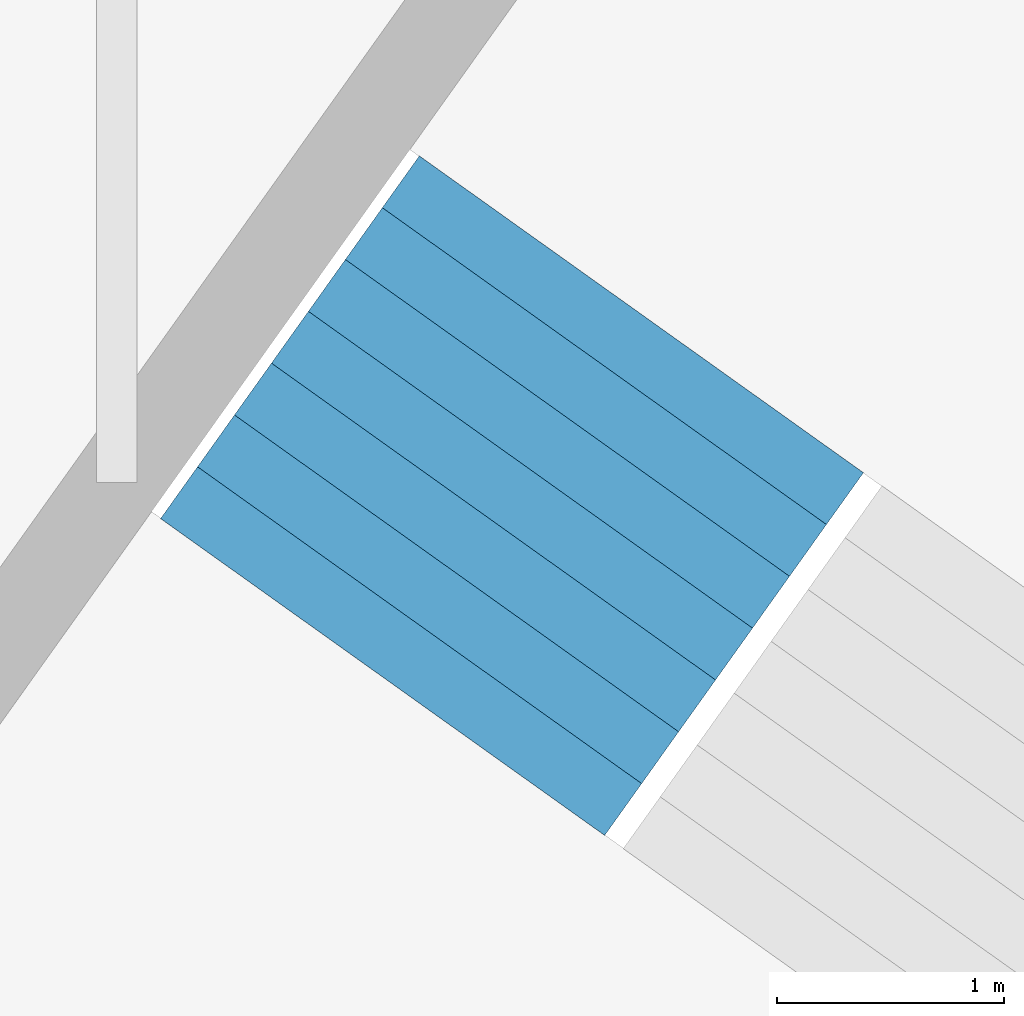
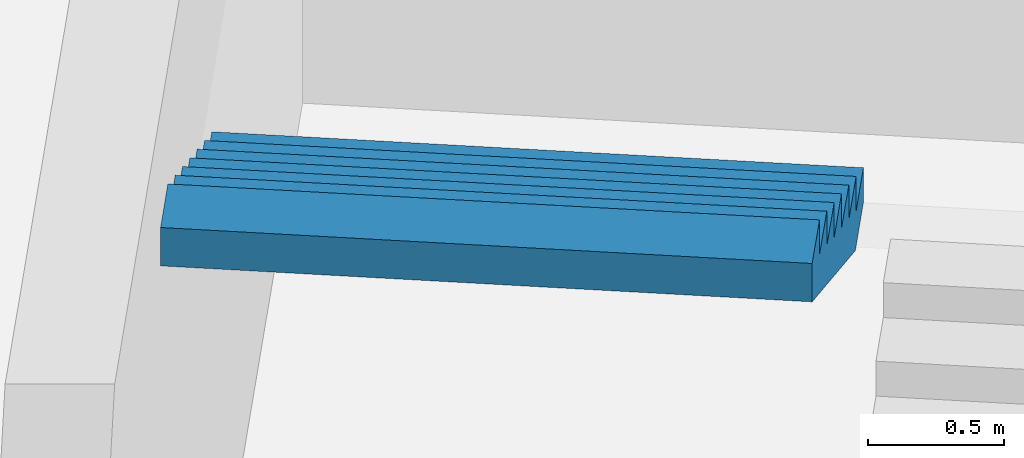
# One storey, part 70 of 73: 1 stair flight, 1 element without a shape of its own.
"""IFC4 building model written with IfcOpenShell, lengths in metres."""

from ifc_helpers import new_model, si_unit, direction, frame, origin, place, context, subcontext, project, spatial, triangles, material, type_object, element, aggregate, save


model = new_model("IFC4")

# Units and contexts
model_context = context("Model", 3, precision=1e-05, world=origin(), true_north=direction((0.0, 1.0)))
body_context = subcontext(model_context, "Body", "Model", "MODEL_VIEW")
ifc_project = project(units=[si_unit("LENGTHUNIT", "METRE"), si_unit("AREAUNIT", "SQUARE_METRE"), si_unit("VOLUMEUNIT", "CUBIC_METRE"), si_unit("PLANEANGLEUNIT", "RADIAN"), si_unit("MASSUNIT", "GRAM", prefix="KILO")], contexts=[model_context])

# Site, building, storey
site_placement = place(None, origin())
site = spatial("IfcSite", under=ifc_project, at=site_placement, CompositionType="ELEMENT")
building_placement = place(site_placement, origin())
building = spatial("IfcBuilding", under=site, at=building_placement, Name="Lantaw Convention Tower", CompositionType="ELEMENT")
storey_placement = place(building_placement, frame((0.0, 0.0, 27.0)))
storey = spatial("IfcBuildingStorey", under=building, at=storey_placement, Name="L04", CompositionType="ELEMENT", Elevation=27.0)

# Stair, stair flight
ifc_material = material(Name="Concrete C35/45", Category="concrete")
stair_type = type_object("IfcStairType", Name="Exit stair 2400 riser 156.25 in 4 flights", PredefinedType="HALF_TURN_STAIR", material=ifc_material)
stair_placement = place(storey_placement, origin())
stair = element("IfcStair", 1, at=stair_placement, inside=storey, type_object=stair_type, Name="Podium exit stair P4 L04", PredefinedType="HALF_TURN_STAIR")
stair_flight_type = type_object("IfcStairFlightType", Name="Stair flight 2400 riser 156.25", PredefinedType="STRAIGHT", material=ifc_material)
stair_flight_placement = place(storey_placement, frame((18.1083984375, 27.53955078125, 3.75), z_axis=(0.0, 0.0, 1.0), x_axis=(-0.580702955711, -0.814115518356, 0.0)))
stair_flight = element("IfcStairFlight", 2, at=stair_flight_placement, type_object=stair_flight_type, Name="P4 flight 4", NumberOfRisers=8, NumberOfTreads=7, PredefinedType="STRAIGHT", RiserHeight=0.15625, TreadLength=0.28, context=body_context, shape_type="Tessellation", body=[
    triangles([(0.0, 1.199951171875, 0.0), (0.0, 1.199951171875, 0.15625), (0.28, 1.199951171875, 0.0), (0.28, 1.199951171875, 0.15625), (0.28, 1.199951171875, 0.3125), (0.3076200632058044, 1.199951171875, 0.0), (0.3076200632058044, 1.199951171875, 0.3125), (0.56, 1.199951171875, 0.14083701830033238), (0.56, 1.199951171875, 0.3125), (0.56, 1.199951171875, 0.46875), (0.8400000000000001, 1.199951171875, 0.29708701830033235), (0.8400000000000001, 1.199951171875, 0.46875), (0.8400000000000001, 1.199951171875, 0.625), (1.12, 1.199951171875, 0.45333701830033235), (1.12, 1.199951171875, 0.625), (1.12, 1.199951171875, 0.78125), (1.4000000000000001, 1.199951171875, 0.6095870183003324), (1.4000000000000001, 1.199951171875, 0.78125), (1.4000000000000001, 1.199951171875, 0.9375), (1.6800000000000002, 1.199951171875, 0.7658370183003324), (1.6800000000000002, 1.199951171875, 0.9375), (1.6800000000000002, 1.199951171875, 1.09375), (1.9600000000000002, 1.199951171875, 0.9220870183003324), (1.9600000000000002, 1.199951171875, 1.09375), (0.0, -1.199951171875, 0.0), (0.0, -1.199951171875, 0.15625), (0.28, -1.199951171875, 0.0), (0.28, -1.199951171875, 0.15625), (0.28, -1.199951171875, 0.3125), (0.3076200632058044, -1.199951171875, 0.0), (0.3076200632058044, -1.199951171875, 0.3125), (0.56, -1.199951171875, 0.14083701830033238), (0.56, -1.199951171875, 0.3125), (0.56, -1.199951171875, 0.46875), (0.8400000000000001, -1.199951171875, 0.29708701830033235), (0.8400000000000001, -1.199951171875, 0.46875), (0.8400000000000001, -1.199951171875, 0.625), (1.12, -1.199951171875, 0.45333701830033235), (1.12, -1.199951171875, 0.625), (1.12, -1.199951171875, 0.78125), (1.4000000000000001, -1.199951171875, 0.6095870183003324), (1.4000000000000001, -1.199951171875, 0.78125), (1.4000000000000001, -1.199951171875, 0.9375), (1.6800000000000002, -1.199951171875, 0.7658370183003324), (1.6800000000000002, -1.199951171875, 0.9375), (1.6800000000000002, -1.199951171875, 1.09375), (1.9600000000000002, -1.199951171875, 0.9220870183003324), (1.9600000000000002, -1.199951171875, 1.09375), (0.0, 0.239990234375, 0.15625), (0.0, 0.239990234375, 0.0), (0.0, 0.1919921875, 0.15625), (0.0, 0.1919921875, 0.0), (0.0, 0.143994140625, 0.15625), (0.0, 0.143994140625, 0.0), (0.0, 0.09599609375, 0.15625), (0.0, 0.09599609375, 0.0), (0.0, 0.047998046875, 0.15625), (0.0, 0.047998046875, 0.0), (0.0, 0.0, 0.15625), (0.0, 0.0, 0.0), (0.0, -0.047998046875, 0.15625), (0.0, -0.047998046875, 0.0), (0.0, -0.09599609375, 0.15625), (0.0, -0.09599609375, 0.0), (0.0, -0.143994140625, 0.15625), (0.0, -0.143994140625, 0.0), (0.0, -0.1919921875, 0.15625), (0.0, -0.1919921875, 0.0), (0.0, -0.239990234375, 0.15625), (0.0, -0.239990234375, 0.0), (0.28, 0.239990234375, 0.3125), (0.28, 0.239990234375, 0.15625), (0.28, 0.1919921875, 0.3125), (0.28, 0.1919921875, 0.15625), (0.28, 0.143994140625, 0.3125), (0.28, 0.143994140625, 0.15625), (0.28, 0.09599609375, 0.3125), (0.28, 0.09599609375, 0.15625), (0.28, 0.047998046875, 0.3125), (0.28, 0.047998046875, 0.15625), (0.28, 0.0, 0.3125), (0.28, 0.0, 0.15625), (0.28, -0.047998046875, 0.3125), (0.28, -0.047998046875, 0.15625), (0.28, -0.09599609375, 0.3125), (0.28, -0.09599609375, 0.15625), (0.28, -0.143994140625, 0.3125), (0.28, -0.143994140625, 0.15625), (0.28, -0.1919921875, 0.3125), (0.28, -0.1919921875, 0.15625), (0.28, -0.239990234375, 0.3125), (0.28, -0.239990234375, 0.15625), (0.56, 0.239990234375, 0.46875), (0.56, 0.239990234375, 0.3125), (0.56, 0.1919921875, 0.46875), (0.56, 0.1919921875, 0.3125), (0.56, 0.143994140625, 0.46875), (0.56, 0.143994140625, 0.3125), (0.56, 0.09599609375, 0.46875), (0.56, 0.09599609375, 0.3125), (0.56, 0.047998046875, 0.46875), (0.56, 0.047998046875, 0.3125), (0.56, 0.0, 0.46875), (0.56, 0.0, 0.3125), (0.56, -0.047998046875, 0.46875), (0.56, -0.047998046875, 0.3125), (0.56, -0.09599609375, 0.46875), (0.56, -0.09599609375, 0.3125), (0.56, -0.143994140625, 0.46875), (0.56, -0.143994140625, 0.3125), (0.56, -0.1919921875, 0.46875), (0.56, -0.1919921875, 0.3125), (0.56, -0.239990234375, 0.46875), (0.56, -0.239990234375, 0.3125), (0.8400000000000001, 0.239990234375, 0.625), (0.8400000000000001, 0.239990234375, 0.46875), (0.8400000000000001, 0.1919921875, 0.625), (0.8400000000000001, 0.1919921875, 0.46875), (0.8400000000000001, 0.143994140625, 0.625), (0.8400000000000001, 0.143994140625, 0.46875), (0.8400000000000001, 0.09599609375, 0.625), (0.8400000000000001, 0.09599609375, 0.46875), (0.8400000000000001, 0.047998046875, 0.625), (0.8400000000000001, 0.047998046875, 0.46875), (0.8400000000000001, 0.0, 0.625), (0.8400000000000001, 0.0, 0.46875), (0.8400000000000001, -0.047998046875, 0.625), (0.8400000000000001, -0.047998046875, 0.46875), (0.8400000000000001, -0.09599609375, 0.625), (0.8400000000000001, -0.09599609375, 0.46875), (0.8400000000000001, -0.143994140625, 0.625), (0.8400000000000001, -0.143994140625, 0.46875), (0.8400000000000001, -0.1919921875, 0.625), (0.8400000000000001, -0.1919921875, 0.46875), (0.8400000000000001, -0.239990234375, 0.625), (0.8400000000000001, -0.239990234375, 0.46875), (1.12, 0.239990234375, 0.78125), (1.12, 0.239990234375, 0.625), (1.12, 0.1919921875, 0.78125), (1.12, 0.1919921875, 0.625), (1.12, 0.143994140625, 0.78125), (1.12, 0.143994140625, 0.625), (1.12, 0.09599609375, 0.78125), (1.12, 0.09599609375, 0.625), (1.12, 0.047998046875, 0.78125), (1.12, 0.047998046875, 0.625), (1.12, 0.0, 0.78125), (1.12, 0.0, 0.625), (1.12, -0.047998046875, 0.78125), (1.12, -0.047998046875, 0.625), (1.12, -0.09599609375, 0.78125), (1.12, -0.09599609375, 0.625), (1.12, -0.143994140625, 0.78125), (1.12, -0.143994140625, 0.625), (1.12, -0.1919921875, 0.78125), (1.12, -0.1919921875, 0.625), (1.12, -0.239990234375, 0.78125), (1.12, -0.239990234375, 0.625), (1.4000000000000001, 0.239990234375, 0.9375), (1.4000000000000001, 0.239990234375, 0.78125), (1.4000000000000001, 0.1919921875, 0.9375), (1.4000000000000001, 0.1919921875, 0.78125), (1.4000000000000001, 0.143994140625, 0.9375), (1.4000000000000001, 0.143994140625, 0.78125), (1.4000000000000001, 0.09599609375, 0.9375), (1.4000000000000001, 0.09599609375, 0.78125), (1.4000000000000001, 0.047998046875, 0.9375), (1.4000000000000001, 0.047998046875, 0.78125), (1.4000000000000001, 0.0, 0.9375), (1.4000000000000001, 0.0, 0.78125), (1.4000000000000001, -0.047998046875, 0.9375), (1.4000000000000001, -0.047998046875, 0.78125), (1.4000000000000001, -0.09599609375, 0.9375), (1.4000000000000001, -0.09599609375, 0.78125), (1.4000000000000001, -0.143994140625, 0.9375), (1.4000000000000001, -0.143994140625, 0.78125), (1.4000000000000001, -0.1919921875, 0.9375), (1.4000000000000001, -0.1919921875, 0.78125), (1.4000000000000001, -0.239990234375, 0.9375), (1.4000000000000001, -0.239990234375, 0.78125), (1.6800000000000002, 0.239990234375, 1.09375), (1.6800000000000002, 0.239990234375, 0.9375), (1.6800000000000002, 0.1919921875, 1.09375), (1.6800000000000002, 0.1919921875, 0.9375), (1.6800000000000002, 0.143994140625, 1.09375), (1.6800000000000002, 0.143994140625, 0.9375), (1.6800000000000002, 0.09599609375, 1.09375), (1.6800000000000002, 0.09599609375, 0.9375), (1.6800000000000002, 0.047998046875, 1.09375), (1.6800000000000002, 0.047998046875, 0.9375), (1.6800000000000002, 0.0, 1.09375), (1.6800000000000002, 0.0, 0.9375), (1.6800000000000002, -0.047998046875, 1.09375), (1.6800000000000002, -0.047998046875, 0.9375), (1.6800000000000002, -0.09599609375, 1.09375), (1.6800000000000002, -0.09599609375, 0.9375), (1.6800000000000002, -0.143994140625, 1.09375), (1.6800000000000002, -0.143994140625, 0.9375), (1.6800000000000002, -0.1919921875, 1.09375), (1.6800000000000002, -0.1919921875, 0.9375), (1.6800000000000002, -0.239990234375, 1.09375), (1.6800000000000002, -0.239990234375, 0.9375), (0.3076200632058044, 0.239990234375, 0.3125), (0.3076200632058044, 0.1919921875, 0.3125), (0.3076200632058044, 0.143994140625, 0.3125), (0.3076200632058044, 0.09599609375, 0.3125), (0.3076200632058044, 0.047998046875, 0.3125), (0.3076200632058044, 0.0, 0.3125), (0.3076200632058044, -0.047998046875, 0.3125), (0.3076200632058044, -0.09599609375, 0.3125), (0.3076200632058044, -0.143994140625, 0.3125), (0.3076200632058044, -0.1919921875, 0.3125), (0.3076200632058044, -0.239990234375, 0.3125), (1.9600000000000002, 0.239990234375, 1.09375), (1.9600000000000002, 0.1919921875, 1.09375), (1.9600000000000002, 0.143994140625, 1.09375), (1.9600000000000002, 0.09599609375, 1.09375), (1.9600000000000002, 0.047998046875, 1.09375), (1.9600000000000002, 0.0, 1.09375), (1.9600000000000002, -0.047998046875, 1.09375), (1.9600000000000002, -0.09599609375, 1.09375), (1.9600000000000002, -0.143994140625, 1.09375), (1.9600000000000002, -0.1919921875, 1.09375), (1.9600000000000002, -0.239990234375, 1.09375), (1.9600000000000002, 0.239990234375, 0.9220870183003324), (1.9600000000000002, 0.1919921875, 0.9220870183003324), (1.9600000000000002, 0.143994140625, 0.9220870183003324), (1.9600000000000002, 0.09599609375, 0.9220870183003324), (1.9600000000000002, 0.047998046875, 0.9220870183003324), (1.9600000000000002, 0.0, 0.9220870183003324), (1.9600000000000002, -0.047998046875, 0.9220870183003324), (1.9600000000000002, -0.09599609375, 0.9220870183003324), (1.9600000000000002, -0.143994140625, 0.9220870183003324), (1.9600000000000002, -0.1919921875, 0.9220870183003324), (1.9600000000000002, -0.239990234375, 0.9220870183003324), (1.6800000000000002, 0.239990234375, 0.7658370183003324), (1.6800000000000002, 0.1919921875, 0.7658370183003324), (1.6800000000000002, 0.143994140625, 0.7658370183003324), (1.6800000000000002, 0.09599609375, 0.7658370183003324), (1.6800000000000002, 0.047998046875, 0.7658370183003324), (1.6800000000000002, 0.0, 0.7658370183003324), (1.6800000000000002, -0.047998046875, 0.7658370183003324), (1.6800000000000002, -0.09599609375, 0.7658370183003324), (1.6800000000000002, -0.143994140625, 0.7658370183003324), (1.6800000000000002, -0.1919921875, 0.7658370183003324), (1.6800000000000002, -0.239990234375, 0.7658370183003324), (1.4000000000000001, 0.239990234375, 0.6095870183003324), (1.4000000000000001, 0.1919921875, 0.6095870183003324), (1.4000000000000001, 0.143994140625, 0.6095870183003324), (1.4000000000000001, 0.09599609375, 0.6095870183003324), (1.4000000000000001, 0.047998046875, 0.6095870183003324), (1.4000000000000001, 0.0, 0.6095870183003324), (1.4000000000000001, -0.047998046875, 0.6095870183003324), (1.4000000000000001, -0.09599609375, 0.6095870183003324), (1.4000000000000001, -0.143994140625, 0.6095870183003324), (1.4000000000000001, -0.1919921875, 0.6095870183003324), (1.4000000000000001, -0.239990234375, 0.6095870183003324), (1.12, 0.239990234375, 0.45333701830033235), (1.12, 0.1919921875, 0.45333701830033235), (1.12, 0.143994140625, 0.45333701830033235), (1.12, 0.09599609375, 0.45333701830033235), (1.12, 0.047998046875, 0.45333701830033235), (1.12, 0.0, 0.45333701830033235), (1.12, -0.047998046875, 0.45333701830033235), (1.12, -0.09599609375, 0.45333701830033235), (1.12, -0.143994140625, 0.45333701830033235), (1.12, -0.1919921875, 0.45333701830033235), (1.12, -0.239990234375, 0.45333701830033235), (0.8400000000000001, 0.239990234375, 0.29708701830033235), (0.8400000000000001, 0.1919921875, 0.29708701830033235), (0.8400000000000001, 0.143994140625, 0.29708701830033235), (0.8400000000000001, 0.09599609375, 0.29708701830033235), (0.8400000000000001, 0.047998046875, 0.29708701830033235), (0.8400000000000001, 0.0, 0.29708701830033235), (0.8400000000000001, -0.047998046875, 0.29708701830033235), (0.8400000000000001, -0.09599609375, 0.29708701830033235), (0.8400000000000001, -0.143994140625, 0.29708701830033235), (0.8400000000000001, -0.1919921875, 0.29708701830033235), (0.8400000000000001, -0.239990234375, 0.29708701830033235), (0.56, 0.239990234375, 0.14083701830033238), (0.56, 0.1919921875, 0.14083701830033238), (0.56, 0.143994140625, 0.14083701830033238), (0.56, 0.09599609375, 0.14083701830033238), (0.56, 0.047998046875, 0.14083701830033238), (0.56, 0.0, 0.14083701830033238), (0.56, -0.047998046875, 0.14083701830033238), (0.56, -0.09599609375, 0.14083701830033238), (0.56, -0.143994140625, 0.14083701830033238), (0.56, -0.1919921875, 0.14083701830033238), (0.56, -0.239990234375, 0.14083701830033238), (0.3076200632058044, 0.239990234375, 0.0), (0.3076200632058044, 0.1919921875, 0.0), (0.3076200632058044, 0.143994140625, 0.0), (0.3076200632058044, 0.09599609375, 0.0), (0.3076200632058044, 0.047998046875, 0.0), (0.3076200632058044, 0.0, 0.0), (0.3076200632058044, -0.047998046875, 0.0), (0.3076200632058044, -0.09599609375, 0.0), (0.3076200632058044, -0.143994140625, 0.0), (0.3076200632058044, -0.1919921875, 0.0), (0.3076200632058044, -0.239990234375, 0.0), (0.28, 0.239990234375, 0.0), (0.28, 0.1919921875, 0.0), (0.28, 0.143994140625, 0.0), (0.28, 0.09599609375, 0.0), (0.28, 0.047998046875, 0.0), (0.28, 0.0, 0.0), (0.28, -0.047998046875, 0.0), (0.28, -0.09599609375, 0.0), (0.28, -0.143994140625, 0.0), (0.28, -0.1919921875, 0.0), (0.28, -0.239990234375, 0.0)], [[1, 4, 3], [1, 2, 4], [3, 4, 6], [4, 7, 6], [4, 5, 7], [6, 9, 8], [6, 7, 9], [8, 9, 11], [9, 12, 11], [9, 10, 12], [11, 12, 14], [12, 15, 14], [12, 13, 15], [14, 15, 17], [15, 18, 17], [15, 16, 18], [17, 18, 20], [18, 21, 20], [18, 19, 21], [20, 21, 23], [21, 24, 23], [21, 22, 24], [25, 27, 28], [25, 28, 26], [27, 30, 28], [28, 30, 31], [28, 31, 29], [30, 32, 33], [30, 33, 31], [32, 35, 33], [33, 35, 36], [33, 36, 34], [35, 38, 36], [36, 38, 39], [36, 39, 37], [38, 41, 39], [39, 41, 42], [39, 42, 40], [41, 44, 42], [42, 44, 45], [42, 45, 43], [44, 47, 45], [45, 47, 48], [45, 48, 46], [1, 49, 2], [1, 50, 49], [50, 51, 49], [50, 52, 51], [52, 53, 51], [52, 54, 53], [54, 55, 53], [54, 56, 55], [56, 57, 55], [56, 58, 57], [58, 59, 57], [58, 60, 59], [60, 61, 59], [60, 62, 61], [62, 63, 61], [62, 64, 63], [64, 65, 63], [64, 66, 65], [66, 67, 65], [66, 68, 67], [68, 69, 67], [68, 70, 69], [70, 26, 69], [70, 25, 26], [4, 71, 5], [4, 72, 71], [72, 73, 71], [72, 74, 73], [74, 75, 73], [74, 76, 75], [76, 77, 75], [76, 78, 77], [78, 79, 77], [78, 80, 79], [80, 81, 79], [80, 82, 81], [82, 83, 81], [82, 84, 83], [84, 85, 83], [84, 86, 85], [86, 87, 85], [86, 88, 87], [88, 89, 87], [88, 90, 89], [90, 91, 89], [90, 92, 91], [92, 29, 91], [92, 28, 29], [9, 93, 10], [9, 94, 93], [94, 95, 93], [94, 96, 95], [96, 97, 95], [96, 98, 97], [98, 99, 97], [98, 100, 99], [100, 101, 99], [100, 102, 101], [102, 103, 101], [102, 104, 103], [104, 105, 103], [104, 106, 105], [106, 107, 105], [106, 108, 107], [108, 109, 107], [108, 110, 109], [110, 111, 109], [110, 112, 111], [112, 113, 111], [112, 114, 113], [114, 34, 113], [114, 33, 34], [12, 115, 13], [12, 116, 115], [116, 117, 115], [116, 118, 117], [118, 119, 117], [118, 120, 119], [120, 121, 119], [120, 122, 121], [122, 123, 121], [122, 124, 123], [124, 125, 123], [124, 126, 125], [126, 127, 125], [126, 128, 127], [128, 129, 127], [128, 130, 129], [130, 131, 129], [130, 132, 131], [132, 133, 131], [132, 134, 133], [134, 135, 133], [134, 136, 135], [136, 37, 135], [136, 36, 37], [15, 137, 16], [15, 138, 137], [138, 139, 137], [138, 140, 139], [140, 141, 139], [140, 142, 141], [142, 143, 141], [142, 144, 143], [144, 145, 143], [144, 146, 145], [146, 147, 145], [146, 148, 147], [148, 149, 147], [148, 150, 149], [150, 151, 149], [150, 152, 151], [152, 153, 151], [152, 154, 153], [154, 155, 153], [154, 156, 155], [156, 157, 155], [156, 158, 157], [158, 40, 157], [158, 39, 40], [18, 159, 19], [18, 160, 159], [160, 161, 159], [160, 162, 161], [162, 163, 161], [162, 164, 163], [164, 165, 163], [164, 166, 165], [166, 167, 165], [166, 168, 167], [168, 169, 167], [168, 170, 169], [170, 171, 169], [170, 172, 171], [172, 173, 171], [172, 174, 173], [174, 175, 173], [174, 176, 175], [176, 177, 175], [176, 178, 177], [178, 179, 177], [178, 180, 179], [180, 43, 179], [180, 42, 43], [21, 181, 22], [21, 182, 181], [182, 183, 181], [182, 184, 183], [184, 185, 183], [184, 186, 185], [186, 187, 185], [186, 188, 187], [188, 189, 187], [188, 190, 189], [190, 191, 189], [190, 192, 191], [192, 193, 191], [192, 194, 193], [194, 195, 193], [194, 196, 195], [196, 197, 195], [196, 198, 197], [198, 199, 197], [198, 200, 199], [200, 201, 199], [200, 202, 201], [202, 46, 201], [202, 45, 46], [2, 72, 4], [2, 49, 72], [49, 74, 72], [49, 51, 74], [51, 76, 74], [51, 53, 76], [53, 78, 76], [53, 55, 78], [55, 80, 78], [55, 57, 80], [57, 82, 80], [57, 59, 82], [59, 84, 82], [59, 61, 84], [61, 86, 84], [61, 63, 86], [63, 88, 86], [63, 65, 88], [65, 90, 88], [65, 67, 90], [67, 92, 90], [67, 69, 92], [69, 28, 92], [69, 26, 28], [5, 203, 7], [5, 71, 203], [71, 204, 203], [71, 73, 204], [73, 205, 204], [73, 75, 205], [75, 206, 205], [75, 77, 206], [77, 207, 206], [77, 79, 207], [79, 208, 207], [79, 81, 208], [81, 209, 208], [81, 83, 209], [83, 210, 209], [83, 85, 210], [85, 211, 210], [85, 87, 211], [87, 212, 211], [87, 89, 212], [89, 213, 212], [89, 91, 213], [91, 31, 213], [91, 29, 31], [7, 94, 9], [7, 203, 94], [203, 96, 94], [203, 204, 96], [204, 98, 96], [204, 205, 98], [205, 100, 98], [205, 206, 100], [206, 102, 100], [206, 207, 102], [207, 104, 102], [207, 208, 104], [208, 106, 104], [208, 209, 106], [209, 108, 106], [209, 210, 108], [210, 110, 108], [210, 211, 110], [211, 112, 110], [211, 212, 112], [212, 114, 112], [212, 213, 114], [213, 33, 114], [213, 31, 33], [10, 116, 12], [10, 93, 116], [93, 118, 116], [93, 95, 118], [95, 120, 118], [95, 97, 120], [97, 122, 120], [97, 99, 122], [99, 124, 122], [99, 101, 124], [101, 126, 124], [101, 103, 126], [103, 128, 126], [103, 105, 128], [105, 130, 128], [105, 107, 130], [107, 132, 130], [107, 109, 132], [109, 134, 132], [109, 111, 134], [111, 136, 134], [111, 113, 136], [113, 36, 136], [113, 34, 36], [13, 138, 15], [13, 115, 138], [115, 140, 138], [115, 117, 140], [117, 142, 140], [117, 119, 142], [119, 144, 142], [119, 121, 144], [121, 146, 144], [121, 123, 146], [123, 148, 146], [123, 125, 148], [125, 150, 148], [125, 127, 150], [127, 152, 150], [127, 129, 152], [129, 154, 152], [129, 131, 154], [131, 156, 154], [131, 133, 156], [133, 158, 156], [133, 135, 158], [135, 39, 158], [135, 37, 39], [16, 160, 18], [16, 137, 160], [137, 162, 160], [137, 139, 162], [139, 164, 162], [139, 141, 164], [141, 166, 164], [141, 143, 166], [143, 168, 166], [143, 145, 168], [145, 170, 168], [145, 147, 170], [147, 172, 170], [147, 149, 172], [149, 174, 172], [149, 151, 174], [151, 176, 174], [151, 153, 176], [153, 178, 176], [153, 155, 178], [155, 180, 178], [155, 157, 180], [157, 42, 180], [157, 40, 42], [19, 182, 21], [19, 159, 182], [159, 184, 182], [159, 161, 184], [161, 186, 184], [161, 163, 186], [163, 188, 186], [163, 165, 188], [165, 190, 188], [165, 167, 190], [167, 192, 190], [167, 169, 192], [169, 194, 192], [169, 171, 194], [171, 196, 194], [171, 173, 196], [173, 198, 196], [173, 175, 198], [175, 200, 198], [175, 177, 200], [177, 202, 200], [177, 179, 202], [179, 45, 202], [179, 43, 45], [22, 214, 24], [22, 181, 214], [181, 215, 214], [181, 183, 215], [183, 216, 215], [183, 185, 216], [185, 217, 216], [185, 187, 217], [187, 218, 217], [187, 189, 218], [189, 219, 218], [189, 191, 219], [191, 220, 219], [191, 193, 220], [193, 221, 220], [193, 195, 221], [195, 222, 221], [195, 197, 222], [197, 223, 222], [197, 199, 223], [199, 224, 223], [199, 201, 224], [201, 48, 224], [201, 46, 48], [24, 225, 23], [24, 214, 225], [214, 226, 225], [214, 215, 226], [215, 227, 226], [215, 216, 227], [216, 228, 227], [216, 217, 228], [217, 229, 228], [217, 218, 229], [218, 230, 229], [218, 219, 230], [219, 231, 230], [219, 220, 231], [220, 232, 231], [220, 221, 232], [221, 233, 232], [221, 222, 233], [222, 234, 233], [222, 223, 234], [223, 235, 234], [223, 224, 235], [224, 47, 235], [224, 48, 47], [23, 236, 20], [23, 225, 236], [225, 237, 236], [225, 226, 237], [226, 238, 237], [226, 227, 238], [227, 239, 238], [227, 228, 239], [228, 240, 239], [228, 229, 240], [229, 241, 240], [229, 230, 241], [230, 242, 241], [230, 231, 242], [231, 243, 242], [231, 232, 243], [232, 244, 243], [232, 233, 244], [233, 245, 244], [233, 234, 245], [234, 246, 245], [234, 235, 246], [235, 44, 246], [235, 47, 44], [20, 247, 17], [20, 236, 247], [236, 248, 247], [236, 237, 248], [237, 249, 248], [237, 238, 249], [238, 250, 249], [238, 239, 250], [239, 251, 250], [239, 240, 251], [240, 252, 251], [240, 241, 252], [241, 253, 252], [241, 242, 253], [242, 254, 253], [242, 243, 254], [243, 255, 254], [243, 244, 255], [244, 256, 255], [244, 245, 256], [245, 257, 256], [245, 246, 257], [246, 41, 257], [246, 44, 41], [17, 258, 14], [17, 247, 258], [247, 259, 258], [247, 248, 259], [248, 260, 259], [248, 249, 260], [249, 261, 260], [249, 250, 261], [250, 262, 261], [250, 251, 262], [251, 263, 262], [251, 252, 263], [252, 264, 263], [252, 253, 264], [253, 265, 264], [253, 254, 265], [254, 266, 265], [254, 255, 266], [255, 267, 266], [255, 256, 267], [256, 268, 267], [256, 257, 268], [257, 38, 268], [257, 41, 38], [14, 269, 11], [14, 258, 269], [258, 270, 269], [258, 259, 270], [259, 271, 270], [259, 260, 271], [260, 272, 271], [260, 261, 272], [261, 273, 272], [261, 262, 273], [262, 274, 273], [262, 263, 274], [263, 275, 274], [263, 264, 275], [264, 276, 275], [264, 265, 276], [265, 277, 276], [265, 266, 277], [266, 278, 277], [266, 267, 278], [267, 279, 278], [267, 268, 279], [268, 35, 279], [268, 38, 35], [11, 280, 8], [11, 269, 280], [269, 281, 280], [269, 270, 281], [270, 282, 281], [270, 271, 282], [271, 283, 282], [271, 272, 283], [272, 284, 283], [272, 273, 284], [273, 285, 284], [273, 274, 285], [274, 286, 285], [274, 275, 286], [275, 287, 286], [275, 276, 287], [276, 288, 287], [276, 277, 288], [277, 289, 288], [277, 278, 289], [278, 290, 289], [278, 279, 290], [279, 32, 290], [279, 35, 32], [8, 291, 6], [8, 280, 291], [280, 292, 291], [280, 281, 292], [281, 293, 292], [281, 282, 293], [282, 294, 293], [282, 283, 294], [283, 295, 294], [283, 284, 295], [284, 296, 295], [284, 285, 296], [285, 297, 296], [285, 286, 297], [286, 298, 297], [286, 287, 298], [287, 299, 298], [287, 288, 299], [288, 300, 299], [288, 289, 300], [289, 301, 300], [289, 290, 301], [290, 30, 301], [290, 32, 30], [6, 302, 3], [6, 291, 302], [291, 303, 302], [291, 292, 303], [292, 304, 303], [292, 293, 304], [293, 305, 304], [293, 294, 305], [294, 306, 305], [294, 295, 306], [295, 307, 306], [295, 296, 307], [296, 308, 307], [296, 297, 308], [297, 309, 308], [297, 298, 309], [298, 310, 309], [298, 299, 310], [299, 311, 310], [299, 300, 311], [300, 312, 311], [300, 301, 312], [301, 27, 312], [301, 30, 27], [3, 50, 1], [3, 302, 50], [302, 52, 50], [302, 303, 52], [303, 54, 52], [303, 304, 54], [304, 56, 54], [304, 305, 56], [305, 58, 56], [305, 306, 58], [306, 60, 58], [306, 307, 60], [307, 62, 60], [307, 308, 62], [308, 64, 62], [308, 309, 64], [309, 66, 64], [309, 310, 66], [310, 68, 66], [310, 311, 68], [311, 70, 68], [311, 312, 70], [312, 25, 70], [312, 27, 25]], closed=True),
])
aggregate(stair, [stair_flight])

save(model, "model.ifc")
